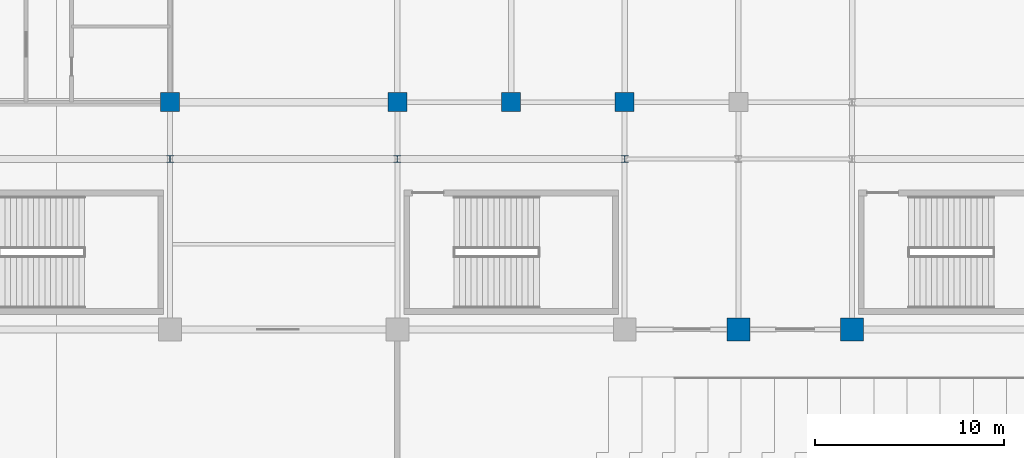
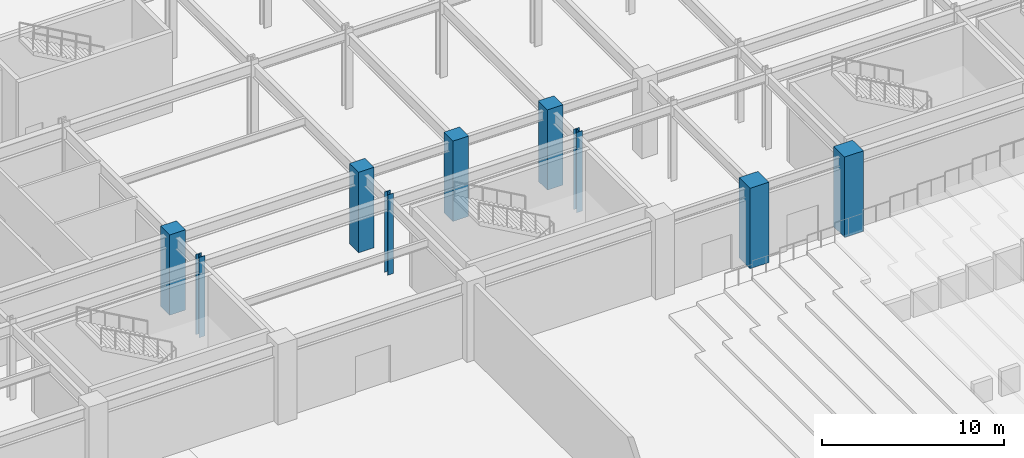
# One storey, part 11 of 100: 9 columns.
"""IFC4 building model written with IfcOpenShell, lengths in metres."""

from ifc_helpers import new_model, si_unit, direction, frame, origin, origin_2d, place, context, subcontext, project, spatial, rectangle, i_section, extrude, material, material_profile, profile_set, type_object, element, save


model = new_model("IFC4")

# Units and contexts
model_context = context("Model", 3, precision=1e-05, world=origin(), true_north=direction((0.0, 1.0)))
body_context = subcontext(model_context, "Body", "Model", "MODEL_VIEW")
ifc_project = project(units=[si_unit("LENGTHUNIT", "METRE"), si_unit("AREAUNIT", "SQUARE_METRE"), si_unit("VOLUMEUNIT", "CUBIC_METRE"), si_unit("PLANEANGLEUNIT", "RADIAN"), si_unit("MASSUNIT", "GRAM", prefix="KILO")], contexts=[model_context])

# Site, building, storey
site_placement = place(None, origin())
site = spatial("IfcSite", under=ifc_project, at=site_placement, CompositionType="ELEMENT")
building_placement = place(site_placement, origin())
building = spatial("IfcBuilding", under=site, at=building_placement, Name="Kaldorvane Square Convention Centre", CompositionType="ELEMENT")
storey_placement = place(building_placement, frame((0.0, 0.0, 18.0)))
storey = spatial("IfcBuildingStorey", under=building, at=storey_placement, Name="L03", CompositionType="ELEMENT", Elevation=18.0)

# Columns
ifc_material_1 = material(Name="Concrete f'c = 55 MPa (Normalweight)", Category="concrete")
ifc_material_profile_1 = material_profile(ifc_material_1, rectangle(XDim=1.1999969482421875, YDim=1.1999969482421875, at=origin_2d()), Name="RC1200X1200")
ifc_profile_set_1 = profile_set([ifc_material_profile_1], Name="Concrete f'c = 55 MPa (Normalweight)")
column_type_1 = type_object("IfcColumnType", Name="COL-MEGA-1200", PredefinedType="COLUMN", material=ifc_profile_set_1)
for number, where, z_axis, x_axis, name in (
    (1, (96.0, 72.0, 0.0), (0.0, 0.0, 1.0), (1.0, 0.0, 0.0), "Column MC-02 (L03)"),
    (2, (102.0, 72.0, 0.0), (0.0, 0.0, 1.0), (1.0, 0.0, 0.0), "Column MC-02 (L03)"),
):
    element("IfcColumn", number, at=place(storey_placement, frame(where, z_axis=z_axis, x_axis=x_axis)), inside=storey, type_object=column_type_1, Name=name, PredefinedType="COLUMN", context=body_context, shape_type="SweptSolid", body=[
        extrude(rectangle(XDim=1.1999969482421875, YDim=1.1999969482421875, at=origin_2d()), origin(), (0.0, 0.0, 1.0), 5.399993896484375),
    ])
ifc_material_profile_2 = material_profile(ifc_material_1, rectangle(XDim=1.0, YDim=1.0, at=origin_2d()), Name="RC1000X1000")
ifc_profile_set_2 = profile_set([ifc_material_profile_2], Name="Concrete f'c = 55 MPa (Normalweight)")
column_type_2 = type_object("IfcColumnType", Name="COL-RC-1000", PredefinedType="COLUMN", material=ifc_profile_set_2)
for number, where, z_axis, x_axis, name in (
    (3, (66.0, 84.0, 0.0), (0.0, 0.0, 1.0), (1.0, 0.0, 0.0), "Column CC-02 (L03)"),
    (4, (78.0, 84.0, 0.0), (0.0, 0.0, 1.0), (1.0, 0.0, 0.0), "Column CC-02 (L03)"),
    (5, (84.0, 84.0, 0.0), (0.0, 0.0, 1.0), (1.0, 0.0, 0.0), "Column CC-02 (L03)"),
    (6, (90.0, 84.0, 0.0), (0.0, 0.0, 1.0), (1.0, 0.0, 0.0), "Column CC-02 (L03)"),
):
    element("IfcColumn", number, at=place(storey_placement, frame(where, z_axis=z_axis, x_axis=x_axis)), inside=storey, type_object=column_type_2, Name=name, PredefinedType="COLUMN", context=body_context, shape_type="SweptSolid", body=[
        extrude(rectangle(XDim=1.0, YDim=1.0, at=origin_2d()), origin(), (0.0, 0.0, 1.0), 5.399993896484375),
    ])
ifc_material_2 = material(Name="Steel ASTM A992 Gr. 50", Category="steel")
ifc_material_profile_3 = material_profile(ifc_material_2, i_section(OverallWidth=0.3701019287109375, OverallDepth=0.360198974609375, WebThickness=0.012298583984375, FlangeThickness=0.019805908203125, FilletRadius=0.0305023193359375, at=origin_2d()), Name="W14X99")
ifc_profile_set_3 = profile_set([ifc_material_profile_3], Name="Steel ASTM A992 Gr. 50")
column_type_3 = type_object("IfcColumnType", Name="COL-STL-99", PredefinedType="COLUMN", material=ifc_profile_set_3)
for number, where, z_axis, x_axis, name in (
    (7, (66.0, 81.0, 0.0), (0.0, 0.0, 1.0), (1.0, 0.0, 0.0), "Column SC-12 (L03)"),
    (8, (78.0, 81.0, 0.0), (0.0, 0.0, 1.0), (1.0, 0.0, 0.0), "Column SC-12 (L03)"),
    (9, (90.0, 81.0, 0.0), (0.0, 0.0, 1.0), (1.0, 0.0, 0.0), "Column SC-12 (L03)"),
):
    element("IfcColumn", number, at=place(storey_placement, frame(where, z_axis=z_axis, x_axis=x_axis)), inside=storey, type_object=column_type_3, Name=name, PredefinedType="COLUMN", context=body_context, shape_type="SweptSolid", body=[
        extrude(i_section(OverallWidth=0.3701019287109375, OverallDepth=0.360198974609375, WebThickness=0.012298583984375, FlangeThickness=0.019805908203125, FilletRadius=0.0305023193359375, at=origin_2d()), origin(), (0.0, 0.0, 1.0), 5.399993896484375),
    ])

save(model, "model.ifc")
